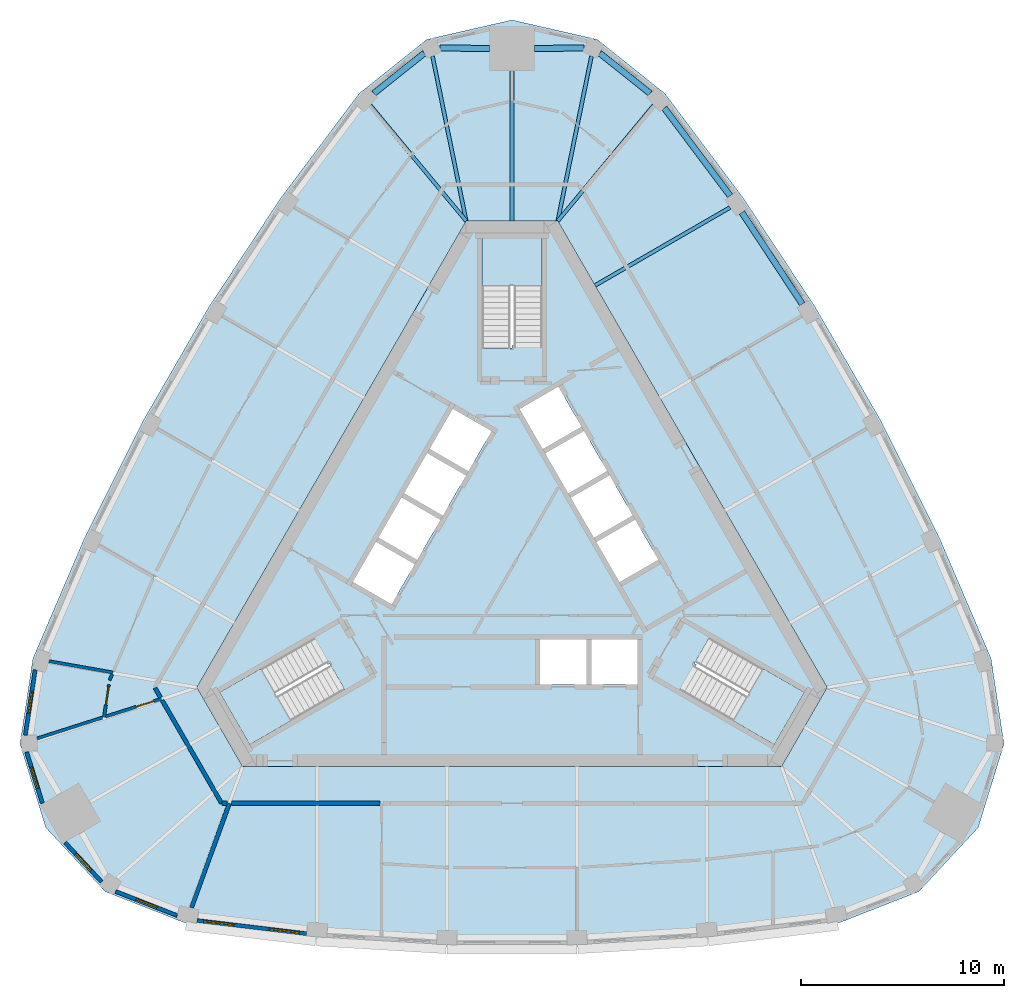
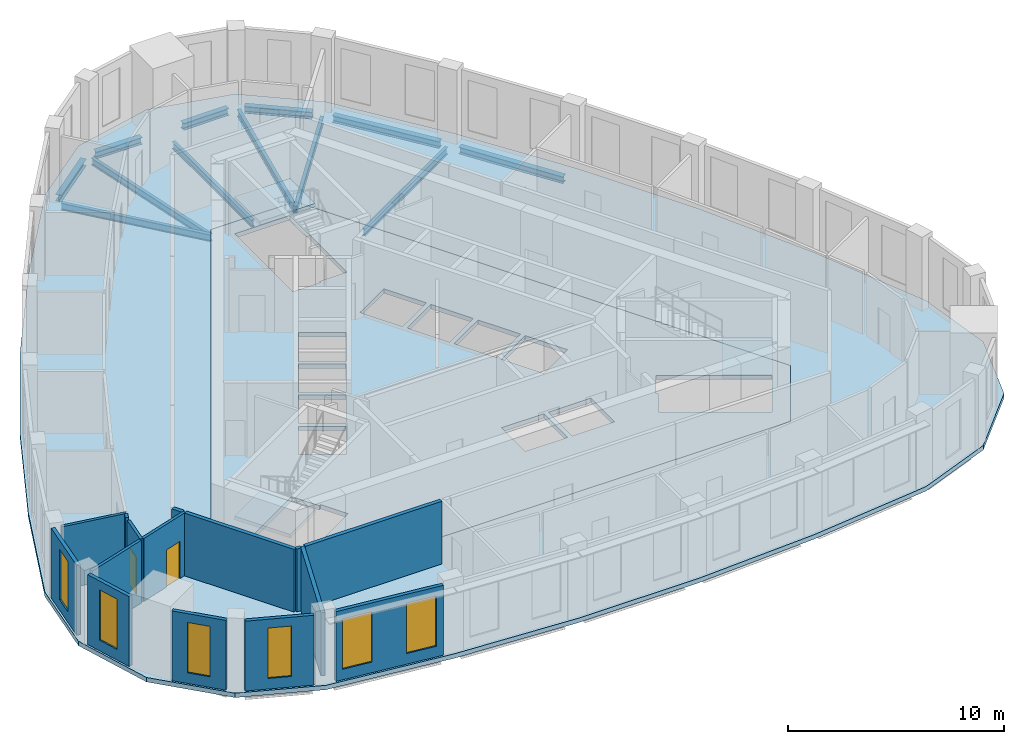
# One storey, part 2 of 10: 15 walls, 12 beams, 6 windows, 5 slabs, 2 doors, 8 openings, 3 elements without a shape of their own.
"""IFC4 building model written with IfcOpenShell, lengths in metres."""

from ifc_helpers import new_model, si_unit, direction, frame, frame_2d, origin, origin_2d, place, context, subcontext, project, spatial, polyline, rectangle, i_section, outline, extrude, material, layer, layer_set, material_profile, profile_set, type_object, element, fill, aggregate, save


model = new_model("IFC4")

# Units and contexts
model_context = context("Model", 3, precision=1e-05, world=origin(), true_north=direction((0.0, 1.0)))
body_context = subcontext(model_context, "Body", "Model", "MODEL_VIEW")
ifc_project = project(units=[si_unit("LENGTHUNIT", "METRE"), si_unit("AREAUNIT", "SQUARE_METRE"), si_unit("VOLUMEUNIT", "CUBIC_METRE"), si_unit("PLANEANGLEUNIT", "RADIAN"), si_unit("MASSUNIT", "GRAM", prefix="KILO")], contexts=[model_context])

# Site, building, storey
site_placement = place(None, origin())
site = spatial("IfcSite", under=ifc_project, at=site_placement, CompositionType="ELEMENT")
building_placement = place(site_placement, origin())
building = spatial("IfcBuilding", under=site, at=building_placement, Name="Mestral Congress Tower", CompositionType="ELEMENT")
storey_placement = place(building_placement, frame((0.0, 0.0, 283.800048828125)))
storey = spatial("IfcBuildingStorey", under=building, at=storey_placement, Name="L66", CompositionType="ELEMENT", Elevation=283.800048828125)

# Beams
ifc_material_1 = material(Name="Steel S355", Category="steel")
ifc_material_profile_1 = material_profile(ifc_material_1, i_section(OverallWidth=0.179931640625, OverallDepth=0.39990234375, WebThickness=0.008544921875, FlangeThickness=0.013427734375, FilletRadius=0.02099609375, at=origin_2d()), Name="IPE 400")
ifc_profile_set_1 = profile_set([ifc_material_profile_1], Name="Steel S355")
beam_type_1 = type_object("IfcBeamType", Name="Floor beam IPE 400 S355", PredefinedType="BEAM", material=ifc_profile_set_1)
beam_1_placement = place(storey_placement, frame((10.7275390625, 17.263916015625, -0.449951171875), z_axis=(-0.866019720907, -0.500009842903, 0.0), x_axis=(0.500009842903, -0.866019720907, 0.0)))
element("IfcBeam", 1, at=beam_1_placement, inside=storey, type_object=beam_type_1, Name="BM-L66-RB5-E04", PredefinedType="BEAM", context=body_context, shape_type="SweptSolid", body=[
    extrude(i_section(OverallWidth=0.179931640625, OverallDepth=0.39990234375, WebThickness=0.008544921875, FlangeThickness=0.013427734375, FilletRadius=0.02099609375, at=origin_2d()), origin(), (0.0, 0.0, 1.0), 7.672119140625),
])
beam_2_placement = place(storey_placement, frame((6.969970703125, 22.2890625, -0.449951171875), z_axis=(-0.638382651591, -0.769719163168, 0.0), x_axis=(0.769719163168, -0.638382651591, 0.0)))
element("IfcBeam", 2, at=beam_2_placement, inside=storey, type_object=beam_type_1, Name="BM-L66-RB5-E05", PredefinedType="BEAM", context=body_context, shape_type="SweptSolid", body=[
    extrude(i_section(OverallWidth=0.179931640625, OverallDepth=0.39990234375, WebThickness=0.008544921875, FlangeThickness=0.013427734375, FilletRadius=0.02099609375, at=origin_2d()), origin(), (0.0, 0.0, 1.0), 7.390869140625),
])
beam_3_placement = place(storey_placement, frame((3.910888671875, 24.7119140625, -0.449951171875), z_axis=(-0.200389803804, -0.979716247967, 0.0), x_axis=(0.979716247967, -0.200389803804, 0.0)))
element("IfcBeam", 3, at=beam_3_placement, inside=storey, type_object=beam_type_1, Name="BM-L66-RB5-N1", PredefinedType="BEAM", context=body_context, shape_type="SweptSolid", body=[
    extrude(i_section(OverallWidth=0.179931640625, OverallDepth=0.39990234375, WebThickness=0.008544921875, FlangeThickness=0.013427734375, FilletRadius=0.02099609375, at=origin_2d()), origin(), (0.0, 0.0, 1.0), 8.27978515625),
])
beam_4_placement = place(storey_placement, frame((0.0, 23.97802734375, -0.449951171875), z_axis=(0.0, -1.0, 0.0), x_axis=(1.0, 0.0, 0.0)))
element("IfcBeam", 4, at=beam_4_placement, inside=storey, type_object=beam_type_1, Name="BM-L66-RB5-N", PredefinedType="BEAM", context=body_context, shape_type="SweptSolid", body=[
    extrude(i_section(OverallWidth=0.179931640625, OverallDepth=0.39990234375, WebThickness=0.008544921875, FlangeThickness=0.013427734375, FilletRadius=0.02099609375, at=origin_2d()), origin(), (0.0, 0.0, 1.0), 7.3779296875),
])
beam_5_placement = place(storey_placement, frame((-3.910888671875, 24.7119140625, -0.449951171875), z_axis=(0.200389803804, -0.979716247967, 0.0), x_axis=(0.979716247967, 0.200389803804, 0.0)))
element("IfcBeam", 5, at=beam_5_placement, inside=storey, type_object=beam_type_1, Name="BM-L66-RB5-N3", PredefinedType="BEAM", context=body_context, shape_type="SweptSolid", body=[
    extrude(i_section(OverallWidth=0.179931640625, OverallDepth=0.39990234375, WebThickness=0.008544921875, FlangeThickness=0.013427734375, FilletRadius=0.02099609375, at=origin_2d()), origin(), (0.0, 0.0, 1.0), 8.27978515625),
])
beam_6_placement = place(storey_placement, frame((-6.969970703125, 22.2890625, -0.449951171875), z_axis=(0.638382651591, -0.769719163168, 0.0), x_axis=(0.769719163168, 0.638382651591, 0.0)))
element("IfcBeam", 6, at=beam_6_placement, inside=storey, type_object=beam_type_1, Name="BM-L66-RB5-W00", PredefinedType="BEAM", context=body_context, shape_type="SweptSolid", body=[
    extrude(i_section(OverallWidth=0.179931640625, OverallDepth=0.39990234375, WebThickness=0.008544921875, FlangeThickness=0.013427734375, FilletRadius=0.02099609375, at=origin_2d()), origin(), (0.0, 0.0, 1.0), 7.390869140625),
])
ifc_material_profile_2 = material_profile(ifc_material_1, i_section(OverallWidth=0.300048828125, OverallDepth=0.389892578125, WebThickness=0.010986328125, FlangeThickness=0.01904296875, FilletRadius=0.027099609375, at=origin_2d()), Name="HEA 400")
ifc_profile_set_2 = profile_set([ifc_material_profile_2], Name="Steel S355")
beam_type_2 = type_object("IfcBeamType", Name="Spandrel beam HEA 400 S355", PredefinedType="BEAM", material=ifc_profile_set_2)
beam_7_placement = place(storey_placement, frame((14.280517578125, 12.51611328125, -0.445068359375), z_axis=(-0.550748957655, 0.83467094453, 0.0), x_axis=(-0.83467094453, -0.550748957655, 0.0)))
element("IfcBeam", 7, at=beam_7_placement, inside=storey, type_object=beam_type_2, Name="SP-L66-SB5-E03", PredefinedType="BEAM", context=body_context, shape_type="SweptSolid", body=[
    extrude(i_section(OverallWidth=0.300048828125, OverallDepth=0.389892578125, WebThickness=0.010986328125, FlangeThickness=0.01904296875, FilletRadius=0.027099609375, at=origin_2d()), origin(), (0.0, 0.0, 1.0), 5.3984375),
])
beam_8_placement = place(storey_placement, frame((10.73193359375, 17.83984375, -0.445068359375), z_axis=(-0.599529393236, 0.800352738888, 0.0), x_axis=(-0.800352738888, -0.599529393236, 0.0)))
element("IfcBeam", 8, at=beam_8_placement, inside=storey, type_object=beam_type_2, Name="SP-L66-SB5-E04", PredefinedType="BEAM", context=body_context, shape_type="SweptSolid", body=[
    extrude(i_section(OverallWidth=0.300048828125, OverallDepth=0.389892578125, WebThickness=0.010986328125, FlangeThickness=0.01904296875, FilletRadius=0.027099609375, at=origin_2d()), origin(), (0.0, 0.0, 1.0), 5.396484375),
])
beam_9_placement = place(storey_placement, frame((6.7998046875, 22.876708984375, -0.445068359375), z_axis=(-0.781647188603, 0.623720829016, 0.0), x_axis=(-0.623720829016, -0.781647188603, 0.0)))
element("IfcBeam", 9, at=beam_9_placement, inside=storey, type_object=beam_type_2, Name="SP-L66-SB5-E05", PredefinedType="BEAM", context=body_context, shape_type="SweptSolid", body=[
    extrude(i_section(OverallWidth=0.300048828125, OverallDepth=0.389892578125, WebThickness=0.010986328125, FlangeThickness=0.01904296875, FilletRadius=0.027099609375, at=origin_2d()), origin(), (0.0, 0.0, 1.0), 3.179931640625),
])
for number, where, z_axis, x_axis, name in (
    (10, (3.54736328125, 25.11181640625, -0.445068359375), (-0.999955093848, -0.009476829002, 0.0), (0.009476829002, -0.999955093848, 0.0), "SP-L66-SB5-N1"),
    (11, (-1.10009765625, 25.088623046875, -0.445068359375), (-0.999955093848, 0.009476829002, 0.0), (-0.009476829002, -0.999955093848, 0.0), "SP-L66-SB5-N"),
):
    element("IfcBeam", number, at=place(storey_placement, frame(where, z_axis=z_axis, x_axis=x_axis)), inside=storey, type_object=beam_type_2, Name=name, PredefinedType="BEAM", context=body_context, shape_type="SweptSolid", body=[
        extrude(i_section(OverallWidth=0.300048828125, OverallDepth=0.389892578125, WebThickness=0.010986328125, FlangeThickness=0.01904296875, FilletRadius=0.027099609375, at=origin_2d()), origin(), (0.0, 0.0, 1.0), 2.447265625),
    ])
beam_10_placement = place(storey_placement, frame((-4.314208984375, 24.860107421875, -0.445068359375), z_axis=(-0.781647188603, -0.623720829016, 0.0), x_axis=(0.623720829016, -0.781647188603, 0.0)))
element("IfcBeam", 12, at=beam_10_placement, inside=storey, type_object=beam_type_2, Name="SP-L66-SB5-N3", PredefinedType="BEAM", context=body_context, shape_type="SweptSolid", body=[
    extrude(i_section(OverallWidth=0.300048828125, OverallDepth=0.389892578125, WebThickness=0.010986328125, FlangeThickness=0.01904296875, FilletRadius=0.027099609375, at=origin_2d()), origin(), (0.0, 0.0, 1.0), 3.179931640625),
])

# Slabs
ifc_material_2 = material(Name="Concrete C35/45", Category="concrete")
ifc_layer_1 = layer(ifc_material_2, 0.25)
ifc_layer_set_1 = layer_set([ifc_layer_1], Name="Concrete C35/45")
slab_type_1 = type_object("IfcSlabType", Name="Composite floor slab 250", PredefinedType="FLOOR", material=ifc_layer_set_1)
placement_1 = place(storey_placement, frame((0.0, 0.0, -0.25)))
element("IfcSlab", 13, at=placement_1, inside=storey, type_object=slab_type_1, Name="SL-L66", PredefinedType="FLOOR", context=body_context, shape_type="SweptSolid", body=[
    extrude(outline(polyline([(-16.051513671875, -17.951904296875), (-20.014404296875, -16.39794921875), (-22.940673828125, -13.244873046875), (-24.208251953125, -9.1337890625), (-23.572509765625, -4.925048828125), (-21.027587890625, 1.0234375), (-18.152099609375, 6.77001953125), (-14.939208984375, 12.335205078125), (-11.400146484375, 17.698486328125), (-7.52099609375, 22.876953125), (-4.19384765625, 25.531982421875), (0.0, 26.48974609375), (4.19384765625, 25.531982421875), (7.52099609375, 22.876953125), (11.400146484375, 17.698486328125), (14.939208984375, 12.335205078125), (18.152099609375, 6.77001953125), (21.027587890625, 1.0234375), (23.572509765625, -4.925048828125), (24.208251953125, -9.1337890625), (22.940673828125, -13.244873046875), (20.014404296875, -16.39794921875), (16.051513671875, -17.951904296875), (9.62744140625, -18.72216796875), (3.212890625, -19.105224609375), (-3.212890625, -19.105224609375), (-9.62744140625, -18.72216796875), (-16.051513671875, -17.951904296875)]), holes=[polyline([(-2.251708984375, 16.60009765625), (-15.501953125, -6.35009765625), (-13.250244140625, -10.25), (13.250244140625, -10.25), (15.501953125, -6.35009765625), (2.251708984375, 16.60009765625), (-2.251708984375, 16.60009765625)])]), origin(), (0.0, 0.0, 1.0), 0.25),
])
ifc_material_3 = material(Name="Concrete C60/75", Category="concrete")
ifc_layer_2 = layer(ifc_material_3, 0.25)
ifc_layer_set_2 = layer_set([ifc_layer_2], Name="Concrete C60/75")
slab_type_2 = type_object("IfcSlabType", Name="Core floor slab RC 250", PredefinedType="FLOOR", material=ifc_layer_set_2)
element("IfcSlab", 14, at=placement_1, inside=storey, type_object=slab_type_2, Name="L66 core floor", PredefinedType="FLOOR", context=body_context, shape_type="SweptSolid", body=[
    extrude(outline(polyline([(13.250244140625, -10.25), (-13.250244140625, -10.25), (-15.501953125, -6.35009765625), (-2.251708984375, 16.60009765625), (2.251708984375, 16.60009765625), (15.501953125, -6.35009765625), (13.250244140625, -10.25)]), holes=[polyline([(-14.37744140625, -6.59765625), (-12.90234375, -9.15234375), (-8.234619140625, -6.45751953125), (-8.971923828125, -5.179931640625), (-9.0673828125, -5.235107421875), (-9.8046875, -3.95751953125), (-14.37744140625, -6.59765625)]), polyline([(-5.921630859375, -2.256591796875), (-4.78662109375, -0.29052734375), (-6.69189453125, 0.809326171875), (-7.826904296875, -1.156494140625), (-5.921630859375, -2.256591796875)]), polyline([(-4.66162109375, -0.07421875), (-3.526611328125, 1.8916015625), (-5.431884765625, 2.99169921875), (-6.56689453125, 1.02587890625), (-4.66162109375, -0.07421875)]), polyline([(-2.2666015625, 4.07421875), (-4.171875, 5.174072265625), (-5.306884765625, 3.208251953125), (-3.401611328125, 2.1083984375), (-2.2666015625, 4.07421875)]), polyline([(-2.1416015625, 4.29052734375), (-1.006591796875, 6.256591796875), (-2.911865234375, 7.3564453125), (-4.046875, 5.390625), (-2.1416015625, 4.29052734375)]), polyline([(0.376708984375, 7.34765625), (1.51171875, 5.3818359375), (3.4169921875, 6.481689453125), (2.281982421875, 8.44775390625), (0.376708984375, 7.34765625)]), polyline([(1.47509765625, 15.75), (-1.47509765625, 15.75), (-1.47509765625, 10.360107421875), (0.0, 10.360107421875), (0.0, 10.469970703125), (1.47509765625, 10.469970703125), (1.47509765625, 15.75)]), polyline([(8.329833984375, -6.512451171875), (12.90234375, -9.15234375), (14.37744140625, -6.59765625), (9.70947265625, -3.902587890625), (8.971923828125, -5.179931640625), (9.0673828125, -5.235107421875), (8.329833984375, -6.512451171875)]), polyline([(3.655029296875, -4.0), (1.385009765625, -4.0), (1.385009765625, -6.199951171875), (3.655029296875, -6.199951171875), (3.655029296875, -4.0)]), polyline([(6.175048828125, -4.0), (3.905029296875, -4.0), (3.905029296875, -6.199951171875), (6.175048828125, -6.199951171875), (6.175048828125, -4.0)]), polyline([(4.156494140625, 0.800537109375), (5.29150390625, -1.165283203125), (7.197021484375, -0.065185546875), (6.06201171875, 1.900634765625), (4.156494140625, 0.800537109375)]), polyline([(2.896484375, 2.98291015625), (4.031494140625, 1.01708984375), (5.93701171875, 2.1171875), (4.802001953125, 4.0830078125), (2.896484375, 2.98291015625)]), polyline([(1.63671875, 5.165283203125), (2.771484375, 3.199462890625), (4.677001953125, 4.29931640625), (3.5419921875, 6.265380859375), (1.63671875, 5.165283203125)])]), origin(), (0.0, 0.0, 1.0), 0.25),
])

# Stair, slab
stair_type = type_object("IfcStairType", Name="Exit stair 1400", PredefinedType="HALF_TURN_STAIR", material=ifc_material_3)
placement_2 = place(storey_placement, origin())
stair_1 = element("IfcStair", 15, at=placement_2, inside=storey, type_object=stair_type, Name="L66 ST1", PredefinedType="HALF_TURN_STAIR")
ifc_layer_3 = layer(ifc_material_3, 0.199951171875)
ifc_layer_set_3 = layer_set([ifc_layer_3], Name="Concrete C60/75")
slab_type_3 = type_object("IfcSlabType", Name="Exit stair landing 200", PredefinedType="LANDING", material=ifc_layer_set_3)
placement_3 = place(storey_placement, frame((0.0, 0.0, 1.89990234375)))
slab_3 = element("IfcSlab", 16, at=placement_3, type_object=slab_type_3, Name="ST1 landing 1", PredefinedType="LANDING", context=body_context, shape_type="SweptSolid", body=[
    extrude(outline(polyline([(10.879638671875, -7.99609375), (12.364501953125, -5.424072265625), (14.39111328125, -6.593994140625), (12.906005859375, -9.166015625), (10.879638671875, -7.99609375)])), origin(), (0.0, 0.0, 1.0), 0.199951171875),
])
aggregate(stair_1, [slab_3])

stair_2 = element("IfcStair", 17, at=placement_2, inside=storey, type_object=stair_type, Name="L66 ST2", PredefinedType="HALF_TURN_STAIR")
slab_4 = element("IfcSlab", 18, at=placement_3, type_object=slab_type_3, Name="ST2 landing 1", PredefinedType="LANDING", context=body_context, shape_type="SweptSolid", body=[
    extrude(outline(polyline([(1.485107421875, 13.419921875), (-1.485107421875, 13.419921875), (-1.485107421875, 15.760009765625), (1.485107421875, 15.760009765625), (1.485107421875, 13.419921875)])), origin(), (0.0, 0.0, 1.0), 0.199951171875),
])
aggregate(stair_2, [slab_4])

stair_3 = element("IfcStair", 19, at=placement_2, inside=storey, type_object=stair_type, Name="L66 ST3", PredefinedType="HALF_TURN_STAIR")
slab_5 = element("IfcSlab", 20, at=placement_3, type_object=slab_type_3, Name="ST3 landing 1", PredefinedType="LANDING", context=body_context, shape_type="SweptSolid", body=[
    extrude(outline(polyline([(-12.364501953125, -5.424072265625), (-10.879638671875, -7.99609375), (-12.906005859375, -9.166015625), (-14.39111328125, -6.593994140625), (-12.364501953125, -5.424072265625)])), origin(), (0.0, 0.0, 1.0), 0.199951171875),
])
aggregate(stair_3, [slab_5])

# Wall, openings, windows
ifc_material_4 = material(Name="Precast concrete C40/50 with limestone facing", Category="masonry")
ifc_layer_4 = layer(ifc_material_4, 0.18994140625)
ifc_layer_set_4 = layer_set([ifc_layer_4], Name="Precast concrete C40/50 with limestone facing")
wall_type_1 = type_object("IfcWallType", Name="Facade stone wall 190", PredefinedType="SOLIDWALL", material=ifc_layer_set_4)
wall_1_placement = place(storey_placement, frame((-15.487060546875, -17.822998046875, 0.0), z_axis=(0.0, 0.0, 1.0), x_axis=(0.992885582795, -0.119072328769, 0.0)))
wall_1 = element("IfcWall", 21, at=wall_1_placement, inside=storey, type_object=wall_type_1, Name="Facade wall F0-00", PredefinedType="SOLIDWALL", context=body_context, shape_type="SweptSolid", body=[
    extrude(rectangle(XDim=5.4150390625, YDim=0.18994140625, at=frame_2d((2.70751953125, 0.0))), origin(), (0.0, 0.0, 1.0), 3.949951171875),
])
opening_1_placement = place(wall_1_placement, frame((0.322509765625, 0.0, 0.60009765625)))
opening_1 = element("IfcOpeningElement", 22, at=opening_1_placement, cuts=wall_1, Name="Opening W6", PredefinedType="OPENING", context=body_context, shape_type="SweptSolid", body=[
    extrude(rectangle(XDim=1.5, YDim=2.85009765625, at=frame_2d((0.75, 1.425048828125))), frame((0.0, 0.10498046875, 0.0), z_axis=(0.0, -1.0, 0.0), x_axis=(1.0, 0.0, 0.0)), (0.0, 0.0, 1.0), 0.2099609375),
])
opening_2_placement = place(wall_1_placement, frame((3.5576171875, 0.0, 0.60009765625)))
opening_2 = element("IfcOpeningElement", 23, at=opening_2_placement, cuts=wall_1, Name="Opening W6", PredefinedType="OPENING", context=body_context, shape_type="SweptSolid", body=[
    extrude(rectangle(XDim=1.5, YDim=2.85009765625, at=frame_2d((0.75, 1.425048828125))), frame((0.0, 0.10498046875, 0.0), z_axis=(0.0, -1.0, 0.0), x_axis=(1.0, 0.0, 0.0)), (0.0, 0.0, 1.0), 0.2099609375),
])
ifc_material_5 = material(Name="Clear low-emissivity double glazing", Category="glass")
window_type_1 = type_object("IfcWindowType", Name="Facade punched window 1500 x 2850 sill 600", PartitioningType="SINGLE_PANEL", PredefinedType="WINDOW", material=ifc_material_5)
window_1_placement = place(opening_1_placement, origin())
window_1 = element("IfcWindow", 24, at=window_1_placement, inside=storey, type_object=window_type_1, Name="Window F0-00a", OverallHeight=2.85009765625, OverallWidth=1.5, PartitioningType="SINGLE_PANEL", PredefinedType="WINDOW", context=body_context, shape_type="SweptSolid", body=[
    extrude(rectangle(XDim=1.5, YDim=2.85009765625, at=frame_2d((0.75, 1.425048828125))), frame((0.0, 0.044921875, 0.0), z_axis=(0.0, -1.0, 0.0), x_axis=(1.0, 0.0, 0.0)), (0.0, 0.0, 1.0), 0.06005859375),
])
fill(opening_1, window_1)
window_2_placement = place(opening_2_placement, origin())
window_2 = element("IfcWindow", 25, at=window_2_placement, inside=storey, type_object=window_type_1, Name="Window F0-00b", OverallHeight=2.85009765625, OverallWidth=1.5, PartitioningType="SINGLE_PANEL", PredefinedType="WINDOW", context=body_context, shape_type="SweptSolid", body=[
    extrude(rectangle(XDim=1.5, YDim=2.85009765625, at=frame_2d((0.75, 1.425048828125))), frame((0.0, 0.044921875, 0.0), z_axis=(0.0, -1.0, 0.0), x_axis=(1.0, 0.0, 0.0)), (0.0, 0.0, 1.0), 0.06005859375),
])
fill(opening_2, window_2)

# Wall, opening, window
wall_2_placement = place(storey_placement, frame((-23.460205078125, -5.488037109375, 0.0), z_axis=(0.0, 0.0, 1.0), x_axis=(-0.149421055602, -0.988773658702, 0.0)))
wall_2 = element("IfcWall", 26, at=wall_2_placement, inside=storey, type_object=wall_type_1, Name="Facade wall K2-0", PredefinedType="SOLIDWALL", context=body_context, shape_type="SweptSolid", body=[
    extrude(rectangle(XDim=3.23681640625, YDim=0.18994140625, at=frame_2d((1.618408203125, 0.0))), origin(), (0.0, 0.0, 1.0), 3.949951171875),
])
opening_3_placement = place(wall_2_placement, frame((1.068359375, 0.0, 0.60009765625)))
opening_3 = element("IfcOpeningElement", 27, at=opening_3_placement, cuts=wall_2, Name="Opening W7", PredefinedType="OPENING", context=body_context, shape_type="SweptSolid", body=[
    extrude(rectangle(XDim=1.10009765625, YDim=2.85009765625, at=frame_2d((0.550048828125, 1.425048828125))), frame((0.0, 0.10498046875, 0.0), z_axis=(0.0, -1.0, 0.0), x_axis=(1.0, 0.0, 0.0)), (0.0, 0.0, 1.0), 0.2099609375),
])
window_type_2 = type_object("IfcWindowType", Name="Facade punched window 1100 x 2850 sill 600", PartitioningType="SINGLE_PANEL", PredefinedType="WINDOW", material=ifc_material_5)
window_3_placement = place(opening_3_placement, origin())
window_3 = element("IfcWindow", 28, at=window_3_placement, inside=storey, type_object=window_type_2, Name="Window K2-0", OverallHeight=2.85009765625, OverallWidth=1.10009765625, PartitioningType="SINGLE_PANEL", PredefinedType="WINDOW", context=body_context, shape_type="SweptSolid", body=[
    extrude(rectangle(XDim=1.10009765625, YDim=2.85009765625, at=frame_2d((0.550048828125, 1.425048828125))), frame((0.0, 0.044921875, 0.0), z_axis=(0.0, -1.0, 0.0), x_axis=(1.0, 0.0, 0.0)), (0.0, 0.0, 1.0), 0.06005859375),
])
fill(opening_3, window_3)

wall_3_placement = place(storey_placement, frame((-23.880615234375, -9.53515625, 0.0), z_axis=(0.0, 0.0, 1.0), x_axis=(0.294706210429, -0.9555879078, 0.0)))
wall_3 = element("IfcWall", 29, at=wall_3_placement, inside=storey, type_object=wall_type_1, Name="Facade wall K2-1", PredefinedType="SOLIDWALL", context=body_context, shape_type="SweptSolid", body=[
    extrude(rectangle(XDim=2.626953125, YDim=0.18994140625, at=frame_2d((1.3134765625, 0.0))), origin(), (0.0, 0.0, 1.0), 3.949951171875),
])
opening_4_placement = place(wall_3_placement, frame((0.763427734375, 0.0, 0.60009765625)))
opening_4 = element("IfcOpeningElement", 30, at=opening_4_placement, cuts=wall_3, Name="Opening W7", PredefinedType="OPENING", context=body_context, shape_type="SweptSolid", body=[
    extrude(rectangle(XDim=1.10009765625, YDim=2.85009765625, at=frame_2d((0.550048828125, 1.425048828125))), frame((0.0, 0.10498046875, 0.0), z_axis=(0.0, -1.0, 0.0), x_axis=(1.0, 0.0, 0.0)), (0.0, 0.0, 1.0), 0.2099609375),
])
window_4_placement = place(opening_4_placement, origin())
window_4 = element("IfcWindow", 31, at=window_4_placement, inside=storey, type_object=window_type_2, Name="Window K2-1", OverallHeight=2.85009765625, OverallWidth=1.10009765625, PartitioningType="SINGLE_PANEL", PredefinedType="WINDOW", context=body_context, shape_type="SweptSolid", body=[
    extrude(rectangle(XDim=1.10009765625, YDim=2.85009765625, at=frame_2d((0.550048828125, 1.425048828125))), frame((0.0, 0.044921875, 0.0), z_axis=(0.0, -1.0, 0.0), x_axis=(1.0, 0.0, 0.0)), (0.0, 0.0, 1.0), 0.06005859375),
])
fill(opening_4, window_4)

wall_4_placement = place(storey_placement, frame((-21.98486328125, -13.988037109375, 0.0), z_axis=(0.0, 0.0, 1.0), x_axis=(0.680219354823, -0.733008614768, 0.0)))
wall_4 = element("IfcWall", 32, at=wall_4_placement, inside=storey, type_object=wall_type_1, Name="Facade wall K2-2", PredefinedType="SOLIDWALL", context=body_context, shape_type="SweptSolid", body=[
    extrude(rectangle(XDim=2.626953125, YDim=0.18994140625, at=frame_2d((1.3134765625, 0.0))), origin(), (0.0, 0.0, 1.0), 3.949951171875),
])
opening_5_placement = place(wall_4_placement, frame((0.763427734375, 0.0, 0.60009765625)))
opening_5 = element("IfcOpeningElement", 33, at=opening_5_placement, cuts=wall_4, Name="Opening W7", PredefinedType="OPENING", context=body_context, shape_type="SweptSolid", body=[
    extrude(rectangle(XDim=1.10009765625, YDim=2.85009765625, at=frame_2d((0.550048828125, 1.425048828125))), frame((0.0, 0.10498046875, 0.0), z_axis=(0.0, -1.0, 0.0), x_axis=(1.0, 0.0, 0.0)), (0.0, 0.0, 1.0), 0.2099609375),
])
window_5_placement = place(opening_5_placement, origin())
window_5 = element("IfcWindow", 34, at=window_5_placement, inside=storey, type_object=window_type_2, Name="Window K2-2", OverallHeight=2.85009765625, OverallWidth=1.10009765625, PartitioningType="SINGLE_PANEL", PredefinedType="WINDOW", context=body_context, shape_type="SweptSolid", body=[
    extrude(rectangle(XDim=1.10009765625, YDim=2.85009765625, at=frame_2d((0.550048828125, 1.425048828125))), frame((0.0, 0.044921875, 0.0), z_axis=(0.0, -1.0, 0.0), x_axis=(1.0, 0.0, 0.0)), (0.0, 0.0, 1.0), 0.06005859375),
])
fill(opening_5, window_5)

wall_5_placement = place(storey_placement, frame((-19.496337890625, -16.3916015625, 0.0), z_axis=(0.0, 0.0, 1.0), x_axis=(0.93100888477, -0.364996515709, 0.0)))
wall_5 = element("IfcWall", 35, at=wall_5_placement, inside=storey, type_object=wall_type_1, Name="Facade wall K2-3", PredefinedType="SOLIDWALL", context=body_context, shape_type="SweptSolid", body=[
    extrude(rectangle(XDim=3.23681640625, YDim=0.18994140625, at=frame_2d((1.618408203125, 0.0))), origin(), (0.0, 0.0, 1.0), 3.949951171875),
])
opening_6_placement = place(wall_5_placement, frame((1.068359375, 0.0, 0.60009765625)))
opening_6 = element("IfcOpeningElement", 36, at=opening_6_placement, cuts=wall_5, Name="Opening W7", PredefinedType="OPENING", context=body_context, shape_type="SweptSolid", body=[
    extrude(rectangle(XDim=1.10009765625, YDim=2.85009765625, at=frame_2d((0.550048828125, 1.425048828125))), frame((0.0, 0.10498046875, 0.0), z_axis=(0.0, -1.0, 0.0), x_axis=(1.0, 0.0, 0.0)), (0.0, 0.0, 1.0), 0.2099609375),
])
window_6_placement = place(opening_6_placement, origin())
window_6 = element("IfcWindow", 37, at=window_6_placement, inside=storey, type_object=window_type_2, Name="Window K2-3", OverallHeight=2.85009765625, OverallWidth=1.10009765625, PartitioningType="SINGLE_PANEL", PredefinedType="WINDOW", context=body_context, shape_type="SweptSolid", body=[
    extrude(rectangle(XDim=1.10009765625, YDim=2.85009765625, at=frame_2d((0.550048828125, 1.425048828125))), frame((0.0, 0.044921875, 0.0), z_axis=(0.0, -1.0, 0.0), x_axis=(1.0, 0.0, 0.0)), (0.0, 0.0, 1.0), 0.06005859375),
])
fill(opening_6, window_6)

# Walls
ifc_material_6 = material(Name="Plasterboard partition on steel studs", Category="steel")
ifc_layer_5 = layer(ifc_material_6, 0.14990234375)
ifc_layer_set_5 = layer_set([ifc_layer_5], Name="Plasterboard partition on steel studs")
wall_type_2 = type_object("IfcWallType", Name="Office partition 150", PredefinedType="PARTITIONING", material=ifc_layer_set_5)
wall_6_placement = place(storey_placement, frame((-19.638671875, -5.61962890625, 0.0), z_axis=(0.0, 0.0, 1.0), x_axis=(-0.984765028635, 0.173890305586, 0.0)))
element("IfcWall", 38, at=wall_6_placement, inside=storey, type_object=wall_type_2, Name="Partition", PredefinedType="PARTITIONING", context=body_context, shape_type="SweptSolid", body=[
    extrude(rectangle(XDim=3.184326171875, YDim=0.14990234375, at=frame_2d((1.59228515625, 0.0))), origin(), (0.0, 0.0, 1.0), 3.550048828125),
])
wall_7_placement = place(storey_placement, frame((-19.668701171875, -5.6904296875, 0.0), z_axis=(0.0, 0.0, 1.0), x_axis=(-0.393566769146, -0.919296034052, 0.0)))
element("IfcWall", 39, at=wall_7_placement, inside=storey, type_object=wall_type_2, Name="Partition", PredefinedType="PARTITIONING", context=body_context, shape_type="SweptSolid", body=[
    extrude(rectangle(XDim=0.33447265625, YDim=0.14990234375, at=frame_2d((0.167236328125, 0.0))), origin(), (0.0, 0.0, 1.0), 3.550048828125),
])

# Wall, opening, door
wall_8_placement = place(storey_placement, frame((-20.074462890625, -7.81201171875, 0.0), z_axis=(0.0, 0.0, 1.0), x_axis=(0.149305499664, 0.988791114326, 0.0)))
wall_8 = element("IfcWall", 40, at=wall_8_placement, inside=storey, type_object=wall_type_2, Name="Partition", PredefinedType="PARTITIONING", context=body_context, shape_type="SweptSolid", body=[
    extrude(rectangle(XDim=1.620361328125, YDim=0.14990234375, at=frame_2d((0.81005859375, 0.0))), origin(), (0.0, 0.0, 1.0), 3.550048828125),
])
opening_7_placement = place(wall_8_placement, frame((0.62060546875, 0.0, 0.0)))
opening_7 = element("IfcOpeningElement", 41, at=opening_7_placement, cuts=wall_8, Name="Opening O12-017", PredefinedType="OPENING", context=body_context, shape_type="SweptSolid", body=[
    extrude(rectangle(XDim=0.89990234375, YDim=2.10009765625, at=frame_2d((0.449951171875, 1.050048828125))), frame((0.0, 0.0849609375, 0.0), z_axis=(0.0, -1.0, 0.0), x_axis=(1.0, 0.0, 0.0)), (0.0, 0.0, 1.0), 0.169921875),
])
ifc_material_7 = material(Name="Timber door set", Category="wood")
door_type = type_object("IfcDoorType", Name="Office door 900x2100", OperationType="SINGLE_SWING_LEFT", PredefinedType="DOOR", material=ifc_material_7)
door_1_placement = place(opening_7_placement, origin())
door_1 = element("IfcDoor", 42, at=door_1_placement, inside=storey, type_object=door_type, Name="Door O12-017", OperationType="SINGLE_SWING_RIGHT", OverallHeight=2.10009765625, OverallWidth=0.89990234375, PredefinedType="DOOR", context=body_context, shape_type="SweptSolid", body=[
    extrude(rectangle(XDim=0.89990234375, YDim=2.10009765625, at=frame_2d((0.449951171875, 1.050048828125))), frame((0.0, 0.02490234375, 0.0), z_axis=(0.0, -1.0, 0.0), x_axis=(1.0, 0.0, 0.0)), (0.0, 0.0, 1.0), 0.050048828125),
])
fill(opening_7, door_1)

# Wall
wall_9_placement = place(storey_placement, frame((-20.154296875, -7.837646484375, 0.0), z_axis=(0.0, 0.0, 1.0), x_axis=(-0.952501497002, -0.304533903217, 0.0)))
element("IfcWall", 43, at=wall_9_placement, inside=storey, type_object=wall_type_2, Name="Partition", PredefinedType="PARTITIONING", context=body_context, shape_type="SweptSolid", body=[
    extrude(rectangle(XDim=3.370361328125, YDim=0.14990234375, at=frame_2d((1.68505859375, 0.0))), origin(), (0.0, 0.0, 1.0), 3.550048828125),
])

# Wall, opening, door
wall_10_placement = place(storey_placement, frame((-17.25634765625, -6.910888671875, 0.0), z_axis=(0.0, 0.0, 1.0), x_axis=(-0.95247639241, -0.304612412587, 0.0)))
wall_10 = element("IfcWall", 44, at=wall_10_placement, inside=storey, type_object=wall_type_2, Name="Partition", PredefinedType="PARTITIONING", context=body_context, shape_type="SweptSolid", body=[
    extrude(rectangle(XDim=2.875, YDim=0.14990234375, at=frame_2d((1.4375, 0.0))), origin(), (0.0, 0.0, 1.0), 3.550048828125),
])
opening_8_placement = place(wall_10_placement, frame((0.39990234375, 0.0, 0.0)))
opening_8 = element("IfcOpeningElement", 45, at=opening_8_placement, cuts=wall_10, Name="Opening O12-019", PredefinedType="OPENING", context=body_context, shape_type="SweptSolid", body=[
    extrude(rectangle(XDim=0.89990234375, YDim=2.10009765625, at=frame_2d((0.449951171875, 1.050048828125))), frame((0.0, 0.0849609375, 0.0), z_axis=(0.0, -1.0, 0.0), x_axis=(1.0, 0.0, 0.0)), (0.0, 0.0, 1.0), 0.169921875),
])
door_2_placement = place(opening_8_placement, origin())
door_2 = element("IfcDoor", 46, at=door_2_placement, inside=storey, type_object=door_type, Name="Door O12-019", OperationType="SINGLE_SWING_LEFT", OverallHeight=2.10009765625, OverallWidth=0.89990234375, PredefinedType="DOOR", context=body_context, shape_type="SweptSolid", body=[
    extrude(rectangle(XDim=0.89990234375, YDim=2.10009765625, at=frame_2d((0.449951171875, 1.050048828125))), frame((0.0, 0.02490234375, 0.0), z_axis=(0.0, -1.0, 0.0), x_axis=(1.0, 0.0, 0.0)), (0.0, 0.0, 1.0), 0.050048828125),
])
fill(opening_8, door_2)

# Walls
ifc_material_8 = material(Name="Dense masonry wall, plastered", Category="masonry")
ifc_layer_6 = layer(ifc_material_8, 0.199951171875)
ifc_layer_set_6 = layer_set([ifc_layer_6], Name="Dense masonry wall, plastered")
wall_type_3 = type_object("IfcWallType", Name="Office tenancy wall 200", PredefinedType="PARTITIONING", material=ifc_layer_set_6)
wall_11_placement = place(storey_placement, frame((-15.7744140625, -17.190185546875, 0.0), z_axis=(0.0, 0.0, 1.0), x_axis=(0.341821907823, 0.93976474893, 0.0)))
element("IfcWall", 47, at=wall_11_placement, inside=storey, type_object=wall_type_3, Name="Tenancy wall", PredefinedType="PARTITIONING", context=body_context, shape_type="SweptSolid", body=[
    extrude(rectangle(XDim=5.469482421875, YDim=0.199951171875, at=frame_2d((2.73486328125, 0.0))), origin(), (0.0, 0.0, 1.0), 3.550048828125),
])
wall_12_placement = place(storey_placement, frame((-13.798583984375, -12.050048828125, 0.0), z_axis=(0.0, 0.0, 1.0), x_axis=(1.0, 0.0, 0.0)))
element("IfcWall", 48, at=wall_12_placement, inside=storey, type_object=wall_type_3, Name="Tenancy wall", PredefinedType="PARTITIONING", context=body_context, shape_type="SweptSolid", body=[
    extrude(rectangle(XDim=7.303466796875, YDim=0.199951171875, at=frame_2d((3.65185546875, 0.0))), origin(), (0.0, 0.0, 1.0), 3.550048828125),
])
wall_13_placement = place(storey_placement, frame((-17.565185546875, -6.3759765625, 0.0), z_axis=(0.0, 0.0, 1.0), x_axis=(0.499683376352, -0.866208129376, 0.0)))
element("IfcWall", 49, at=wall_13_placement, inside=storey, type_object=wall_type_3, Name="Tenancy wall", PredefinedType="PARTITIONING", context=body_context, shape_type="SweptSolid", body=[
    extrude(rectangle(XDim=0.540771484375, YDim=0.199951171875, at=frame_2d((0.2705078125, 0.0))), origin(), (0.0, 0.0, 1.0), 3.550048828125),
])
wall_14_placement = place(storey_placement, frame((-17.218017578125, -6.9775390625, 0.0), z_axis=(0.0, 0.0, 1.0), x_axis=(0.500012299885, -0.866018302326, 0.0)))
element("IfcWall", 50, at=wall_14_placement, inside=storey, type_object=wall_type_3, Name="Tenancy wall", PredefinedType="PARTITIONING", context=body_context, shape_type="SweptSolid", body=[
    extrude(rectangle(XDim=5.857177734375, YDim=0.199951171875, at=frame_2d((2.9287109375, 0.0))), origin(), (0.0, 0.0, 1.0), 3.550048828125),
])
wall_15_placement = place(storey_placement, frame((-14.259521484375, -12.050048828125, 0.0), z_axis=(0.0, 0.0, 1.0), x_axis=(1.0, 0.0, 0.0)))
element("IfcWall", 51, at=wall_15_placement, inside=storey, type_object=wall_type_3, Name="Tenancy wall", PredefinedType="PARTITIONING", context=body_context, shape_type="SweptSolid", body=[
    extrude(rectangle(XDim=0.248291015625, YDim=0.199951171875, at=frame_2d((0.1240234375, 0.0))), origin(), (0.0, 0.0, 1.0), 3.550048828125),
])

save(model, "model.ifc")
